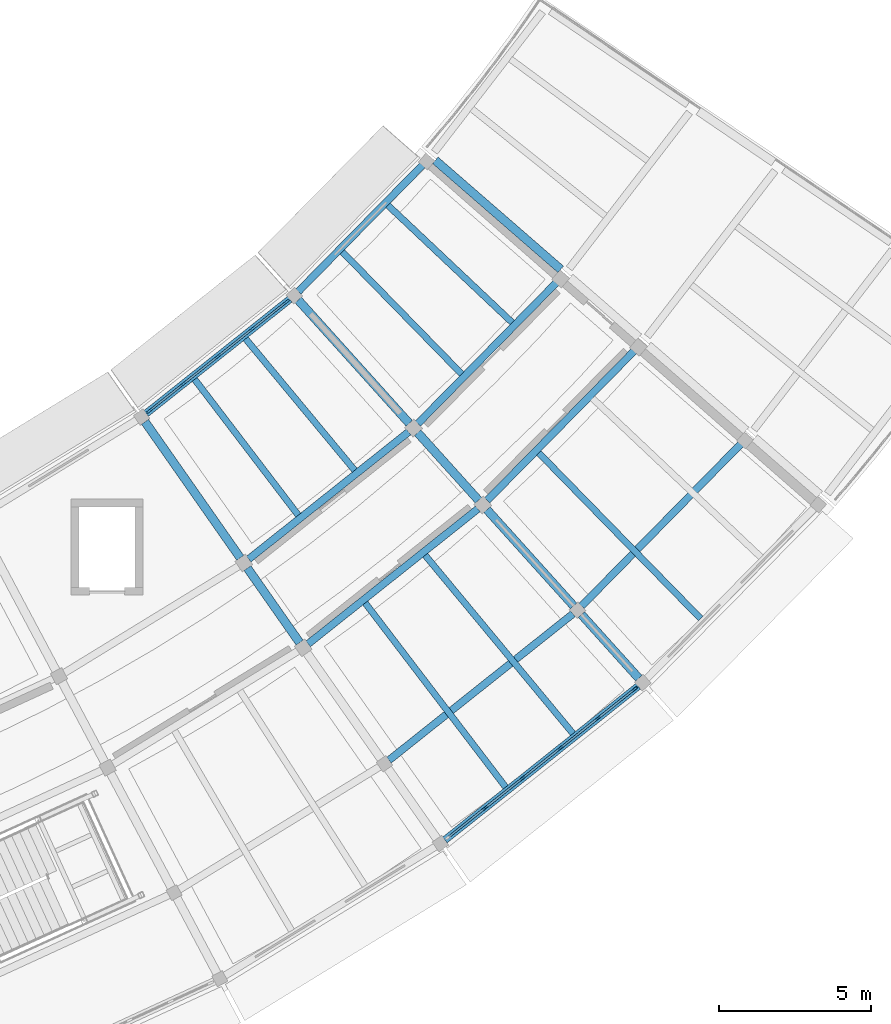
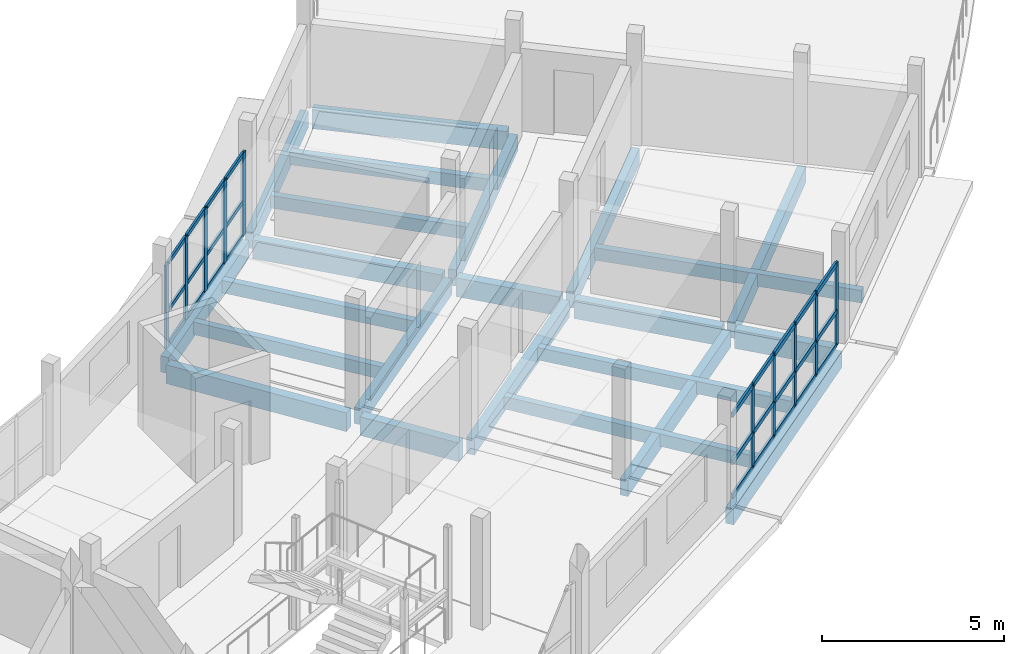
# One storey, part 29 of 66: 37 members, 23 beams, 2 elements without a shape of their own.
"""IFC4 building model written with IfcOpenShell, lengths in metres."""

import ifcopenshell
import ifcopenshell.guid

model = None  # the IFC model being written
_history = None  # IfcOwnerHistory: only IFC2X3 demands one
_inside = {}  # id of a spatial element -> (the spatial element, [elements in it])
_under = {}  # id of a project, library or spatial element -> (it, [spatial elements below it])
_declared = {}  # id of a project -> (the project, [libraries it declares])
_typed = {}  # id of a type object -> (the type object, [elements of that type])
_made_of = {}  # id of a material, layer set ... -> (it, [elements and type objects made of it])


def new_model(schema):
    """Start an empty IFC model of exactly this schema.

    Asked for "IFC4X3", IfcOpenShell would pick the latest addendum, in which some entities
    have other attributes; the version numbers below select the first issue.
    IFC2X3 requires an IfcOwnerHistory on every rooted entity: one is made here for all.
    """
    global model, _history
    if schema == "IFC4X3":
        model = ifcopenshell.file(schema_version=(4, 3, 0, 0))
    else:
        model = ifcopenshell.file(schema=schema)
    _inside.clear()
    _under.clear()
    _declared.clear()
    _typed.clear()
    _made_of.clear()
    _history = None
    if model.schema == "IFC2X3":
        org = make("IfcOrganization", Name="unknown")
        user = make(
            "IfcPersonAndOrganization",
            ThePerson=make("IfcPerson", FamilyName="unknown"),
            TheOrganization=org,
        )
        app = make(
            "IfcApplication",
            ApplicationDeveloper=org,
            Version="unknown",
            ApplicationFullName="unknown",
            ApplicationIdentifier="unknown",
        )
        _history = make(
            "IfcOwnerHistory",
            OwningUser=user,
            OwningApplication=app,
            ChangeAction="ADDED",
            CreationDate=0,
        )
    return model


def make(cls, **values):
    """One entity of the class cls with the attributes given. An attribute that is None is left unset."""
    return model.create_entity(
        cls, **{name: value for name, value in values.items() if value is not None}
    )


def rooted(cls, **values):
    """An entity with a GlobalId (a new one), such as an element, a storey or a relation."""
    return make(cls, GlobalId=ifcopenshell.guid.new(), OwnerHistory=_history, **values)


def si_unit(unit_type, name, prefix=None):
    """IfcSIUnit, for example si_unit("LENGTHUNIT", "METRE", prefix="MILLI")."""
    return make("IfcSIUnit", UnitType=unit_type, Prefix=prefix, Name=name)


def assignment(units):
    """IfcUnitAssignment: the units of a project."""
    return None if units is None else make("IfcUnitAssignment", Units=units)


def point(xyz):
    """IfcCartesianPoint."""
    return None if xyz is None else make("IfcCartesianPoint", Coordinates=xyz)


def direction(xyz):
    """IfcDirection."""
    return None if xyz is None else make("IfcDirection", DirectionRatios=xyz)


def frame(location, z_axis=None, x_axis=None):
    """IfcAxis2Placement3D, a coordinate frame: its origin and axes. An axis left out is left unset."""
    return make(
        "IfcAxis2Placement3D",
        Location=point(location),
        Axis=direction(z_axis),
        RefDirection=direction(x_axis),
    )


def frame_2d(location, x_axis=None):
    """IfcAxis2Placement2D, a coordinate frame in the plane: its origin and x axis."""
    return make(
        "IfcAxis2Placement2D", Location=point(location), RefDirection=direction(x_axis)
    )


def origin():
    """The frame at (0, 0, 0) with its axes left unset."""
    return frame((0.0, 0.0, 0.0))


def origin_2d():
    """The frame at (0, 0) in the plane with its x axis left unset."""
    return frame_2d((0.0, 0.0))


def place(relative_to, where):
    """IfcLocalPlacement: puts the frame where relative to a parent placement (None: the world)."""
    return make(
        "IfcLocalPlacement", PlacementRelTo=relative_to, RelativePlacement=where
    )


def context(
    kind, dimensions, precision=None, world=None, true_north=None, identifier=None
):
    """IfcGeometricRepresentationContext, for example the 3D "Model" context."""
    return make(
        "IfcGeometricRepresentationContext",
        ContextIdentifier=identifier,
        ContextType=kind,
        CoordinateSpaceDimension=dimensions,
        Precision=precision,
        WorldCoordinateSystem=world,
        TrueNorth=true_north,
    )


def subcontext(parent, identifier, kind, view, scale=None):
    """IfcGeometricRepresentationSubContext, for example "Body" below "Model"."""
    return make(
        "IfcGeometricRepresentationSubContext",
        ContextIdentifier=identifier,
        ContextType=kind,
        ParentContext=parent,
        TargetScale=scale,
        TargetView=view,
    )


def project(units=None, contexts=None):
    """IfcProject with its units and contexts."""
    return rooted(
        "IfcProject",
        Name="project",
        RepresentationContexts=contexts,
        UnitsInContext=assignment(units),
    )


def spatial(cls, under=None, at=None, **own):
    """A site, building, storey or space (cls), placed at a placement, below another one or the project."""
    s = rooted(cls, ObjectPlacement=at, **own)
    if under is not None:
        _under.setdefault(under.id(), (under, []))[1].append(s)
    return s


def profile(cls, at=None, kind="AREA", **sizes):
    """A parametric profile (cls). Its sizes go by their IFC names, for example OverallWidth=200.0."""
    return make(cls, ProfileType=kind, Position=at, **sizes)


def rectangle(**sizes):
    """IfcRectangleProfileDef."""
    return profile("IfcRectangleProfileDef", **sizes)


def extrude(swept, where, along, depth):
    """IfcExtrudedAreaSolid: the profile swept, set in the frame where, extruded along a direction by depth."""
    return make(
        "IfcExtrudedAreaSolid",
        SweptArea=swept,
        Position=where,
        ExtrudedDirection=direction(along),
        Depth=depth,
    )


def shape(context_of_items, identifier, shape_type, items):
    """IfcShapeRepresentation: the items that make up one representation, for example the "Body"."""
    return make(
        "IfcShapeRepresentation",
        ContextOfItems=context_of_items,
        RepresentationIdentifier=identifier,
        RepresentationType=shape_type,
        Items=items,
    )


def material(Name=None, Category=None):
    """IfcMaterial."""
    return make("IfcMaterial", Name=Name, Category=Category)


def layer(
    of_material, thickness, ventilated=None, Name=None, Category=None, Priority=None
):
    """IfcMaterialLayer: one layer of a wall or slab, of a material (None: an air gap)."""
    return make(
        "IfcMaterialLayer",
        Material=of_material,
        LayerThickness=thickness,
        IsVentilated=ventilated,
        Name=Name,
        Category=Category,
        Priority=Priority,
    )


def layer_set(layers, Name=None):
    """IfcMaterialLayerSet."""
    return make("IfcMaterialLayerSet", MaterialLayers=layers, LayerSetName=Name)


def material_profile(
    of_material, cross_section, Name=None, Category=None, Priority=None
):
    """IfcMaterialProfile: a cross section and its material."""
    return make(
        "IfcMaterialProfile",
        Name=Name,
        Material=of_material,
        Profile=cross_section,
        Priority=Priority,
        Category=Category,
    )


def profile_set(profiles, Name=None, composite=None):
    """IfcMaterialProfileSet."""
    return make(
        "IfcMaterialProfileSet",
        Name=Name,
        MaterialProfiles=profiles,
        CompositeProfile=composite,
    )


def made_of(thing, what):
    """Note that an element or type object is made of a material, layer set ...; save() writes the relation."""
    if what is not None:
        _made_of.setdefault(what.id(), (what, []))[1].append(thing)
    return thing


def type_object(cls, material=None, **own):
    """A type object (cls), such as IfcWallType, which elements share."""
    return made_of(rooted(cls, **own), material)


def element(
    cls,
    number,
    at=None,
    inside=None,
    cuts=None,
    type_object=None,
    material=None,
    context=None,
    identifier="Body",
    shape_type=None,
    held_by="IfcProductDefinitionShape",
    body=None,
    shapes=None,
    **own,
):
    """One element of the class cls, such as IfcWall. Its Tag is "e" and its number.

    at: its placement. inside: the storey or other place that contains it. cuts: it is an
    opening in that element (IfcRelVoidsElement). A single representation is given by context,
    identifier, shape_type and body (its items); several are given by shapes. held_by: the class
    of the entity that holds the representations. save() writes the other relations.
    """
    e = rooted(cls, Tag="e%d" % number, ObjectPlacement=at, **own)
    if body is not None:
        shapes = [shape(context, identifier, shape_type, body)]
    if shapes is not None:
        e.Representation = make(held_by, Representations=shapes)
    if inside is not None:
        _inside.setdefault(inside.id(), (inside, []))[1].append(e)
    if cuts is not None:
        rooted(
            "IfcRelVoidsElement", RelatingBuildingElement=cuts, RelatedOpeningElement=e
        )
    if type_object is not None:
        _typed.setdefault(type_object.id(), (type_object, []))[1].append(e)
    return made_of(e, material)


def aggregate(whole, parts):
    """IfcRelAggregates: a whole, such as a stair, and the parts it consists of."""
    return rooted("IfcRelAggregates", RelatingObject=whole, RelatedObjects=parts)


def save(model, path):
    """Write the relations noted so far, then the file.

    IfcRelAggregates (storeys below a building ...), IfcRelContainedInSpatialStructure (elements
    in a storey), IfcRelDefinesByType, IfcRelAssociatesMaterial and IfcRelDeclares: one each for
    every whole, place, type object, material and project.
    """
    for whole, parts in _under.values():
        aggregate(whole, parts)
    for where, things in _inside.values():
        rooted(
            "IfcRelContainedInSpatialStructure",
            RelatedElements=things,
            RelatingStructure=where,
        )
    for kind, things in _typed.values():
        rooted("IfcRelDefinesByType", RelatedObjects=things, RelatingType=kind)
    for what, things in _made_of.values():
        rooted("IfcRelAssociatesMaterial", RelatedObjects=things, RelatingMaterial=what)
    for by, libraries in _declared.values():
        rooted("IfcRelDeclares", RelatingContext=by, RelatedDefinitions=libraries)
    model.write(path)


model = new_model("IFC4")

# Units and contexts
model_context = context("Model", 3, precision=1e-05, world=origin(), true_north=direction((0.0, 1.0)))
body_context = subcontext(model_context, "Body", "Model", "MODEL_VIEW")
ifc_project = project(units=[si_unit("LENGTHUNIT", "METRE"), si_unit("AREAUNIT", "SQUARE_METRE"), si_unit("VOLUMEUNIT", "CUBIC_METRE"), si_unit("PLANEANGLEUNIT", "RADIAN"), si_unit("MASSUNIT", "GRAM", prefix="KILO")], contexts=[model_context])

# Site, building, storey
site_placement = place(None, origin())
site = spatial("IfcSite", under=ifc_project, at=site_placement, CompositionType="ELEMENT")
building_placement = place(site_placement, origin())
building = spatial("IfcBuilding", under=site, at=building_placement, Name="Caldaven Crescent School", CompositionType="ELEMENT")
storey_placement = place(building_placement, frame((0.0, 0.0, 8.159912109375)))
storey = spatial("IfcBuildingStorey", under=building, at=storey_placement, Name="L02", CompositionType="ELEMENT", Elevation=8.159912109375)

# Beams
ifc_material_1 = material(Name="Glulam MLE24h (GL28h)", Category="wood")
ifc_material_profile_1 = material_profile(ifc_material_1, rectangle(XDim=0.239990234375, YDim=0.5400390625, at=origin_2d()), Name="MLE 240x540")
ifc_profile_set_1 = profile_set([ifc_material_profile_1], Name="Glulam MLE24h (GL28h)")
beam_type_1 = type_object("IfcBeamType", Name="BM-GL54", PredefinedType="BEAM", material=ifc_profile_set_1)
beam_1_placement = place(storey_placement, frame((121.599853515625, 48.37109375, -0.52001953125), z_axis=(0.782609113445, 0.622513434034, 0.0), x_axis=(-0.622513434034, 0.782609113445, 0.0)))
element("IfcBeam", 1, at=beam_1_placement, inside=storey, type_object=beam_type_1, Name="BMT-V4E-L02-1314", PredefinedType="BEAM", context=body_context, shape_type="SweptSolid", body=[
    extrude(rectangle(XDim=0.239990234375, YDim=0.5400390625, at=origin_2d()), origin(), (0.0, 0.0, 1.0), 6.708251953125),
])
beam_2_placement = place(storey_placement, frame((123.550048828125, 45.5859375, -0.52001953125), z_axis=(0.782621166449, 0.622498280982, 0.0), x_axis=(-0.622498280982, 0.782621166449, 0.0)))
element("IfcBeam", 2, at=beam_2_placement, inside=storey, type_object=beam_type_1, Name="BMT-V4E-L02-1315", PredefinedType="BEAM", context=body_context, shape_type="SweptSolid", body=[
    extrude(rectangle(XDim=0.239990234375, YDim=0.5400390625, at=origin_2d()), origin(), (0.0, 0.0, 1.0), 7.12353515625),
])
beam_3_placement = place(storey_placement, frame((126.20556640625, 41.767578125, -0.52001953125), z_axis=(0.782608756687, 0.622513882541, 0.0), x_axis=(-0.622513882541, 0.782608756687, 0.0)))
element("IfcBeam", 3, at=beam_3_placement, inside=storey, type_object=beam_type_1, Name="BMT-V4E-L02-1316", PredefinedType="BEAM", context=body_context, shape_type="SweptSolid", body=[
    extrude(rectangle(XDim=0.239990234375, YDim=0.5400390625, at=origin_2d()), origin(), (0.0, 0.0, 1.0), 7.720947265625),
])
beam_4_placement = place(storey_placement, frame((127.154052734375, 52.82080078125, -0.52001953125), z_axis=(0.700911097932, 0.713248647244, 0.0), x_axis=(-0.713248647244, 0.700911097932, 0.0)))
element("IfcBeam", 4, at=beam_4_placement, inside=storey, type_object=beam_type_1, Name="BMT-V4E-L02-1323", PredefinedType="BEAM", context=body_context, shape_type="SweptSolid", body=[
    extrude(rectangle(XDim=0.239990234375, YDim=0.5400390625, at=origin_2d()), origin(), (0.0, 0.0, 1.0), 6.708251953125),
])
beam_5_placement = place(storey_placement, frame((129.428955078125, 50.294189453125, -0.52001953125), z_axis=(0.700910785666, 0.713248954109, 0.0), x_axis=(-0.713248954109, 0.700910785666, 0.0)))
element("IfcBeam", 5, at=beam_5_placement, inside=storey, type_object=beam_type_1, Name="BMT-V4E-L02-1324", PredefinedType="BEAM", context=body_context, shape_type="SweptSolid", body=[
    extrude(rectangle(XDim=0.239990234375, YDim=0.5400390625, at=origin_2d()), origin(), (0.0, 0.0, 1.0), 7.12353515625),
])
beam_6_placement = place(storey_placement, frame((132.530029296875, 46.827880859375, -0.52001953125), z_axis=(0.700914055205, 0.713245741113, 0.0), x_axis=(-0.713245741113, 0.700914055205, 0.0)))
element("IfcBeam", 6, at=beam_6_placement, inside=storey, type_object=beam_type_1, Name="BMT-V4E-L02-1325", PredefinedType="BEAM", context=body_context, shape_type="SweptSolid", body=[
    extrude(rectangle(XDim=0.239990234375, YDim=0.5400390625, at=origin_2d()), origin(), (0.0, 0.0, 1.0), 7.72119140625),
])
ifc_material_profile_2 = material_profile(ifc_material_1, rectangle(XDim=0.280029296875, YDim=0.6298828125, at=origin_2d()), Name="MLE 280x630")
ifc_profile_set_2 = profile_set([ifc_material_profile_2], Name="Glulam MLE24h (GL28h)")
beam_type_2 = type_object("IfcBeamType", Name="BM-GL63", PredefinedType="BEAM", material=ifc_profile_set_2)
beam_7_placement = place(storey_placement, frame((118.193115234375, 52.8798828125, -0.56494140625), z_axis=(0.573579482338, -0.819149911457, 0.0), x_axis=(0.819149911457, 0.573579482338, 0.0)))
element("IfcBeam", 7, at=beam_7_placement, inside=storey, type_object=beam_type_2, Name="BMR-V4E-L02-1283", PredefinedType="BEAM", context=body_context, shape_type="SweptSolid", body=[
    extrude(rectangle(XDim=0.280029296875, YDim=0.6298828125, at=origin_2d()), origin(), (0.0, 0.0, 1.0), 5.455078125),
])
beam_8_placement = place(storey_placement, frame((121.55712890625, 48.075439453125, -0.56494140625), z_axis=(0.573550025111, -0.819170537004, 0.0), x_axis=(0.819170537004, 0.573550025111, 0.0)))
element("IfcBeam", 8, at=beam_8_placement, inside=storey, type_object=beam_type_2, Name="BMR-V4E-L02-1284", PredefinedType="BEAM", context=body_context, shape_type="SweptSolid", body=[
    extrude(rectangle(XDim=0.280029296875, YDim=0.6298828125, at=origin_2d()), origin(), (0.0, 0.0, 1.0), 2.989990234375),
])
beam_9_placement = place(storey_placement, frame((123.22314453125, 56.880859375, -0.56494140625), z_axis=(0.669100719019, -0.743171735071, 0.0), x_axis=(0.743171735071, 0.669100719019, 0.0)))
element("IfcBeam", 9, at=beam_9_placement, inside=storey, type_object=beam_type_2, Name="BMR-V4E-L02-1287", PredefinedType="BEAM", context=body_context, shape_type="SweptSolid", body=[
    extrude(rectangle(XDim=0.280029296875, YDim=0.6298828125, at=origin_2d()), origin(), (0.0, 0.0, 1.0), 5.454833984375),
])
beam_10_placement = place(storey_placement, frame((127.1474609375, 52.522216796875, -0.56494140625), z_axis=(0.669149671668, -0.743127658554, 0.0), x_axis=(0.743127658554, 0.669149671668, 0.0)))
element("IfcBeam", 10, at=beam_10_placement, inside=storey, type_object=beam_type_2, Name="BMR-V4E-L02-1288", PredefinedType="BEAM", context=body_context, shape_type="SweptSolid", body=[
    extrude(rectangle(XDim=0.280029296875, YDim=0.6298828125, at=origin_2d()), origin(), (0.0, 0.0, 1.0), 2.989990234375),
])
beam_11_placement = place(storey_placement, frame((129.422607421875, 49.99560546875, -0.56494140625), z_axis=(0.669129554921, -0.743145772195, 0.0), x_axis=(0.743145772195, 0.669129554921, 0.0)))
element("IfcBeam", 11, at=beam_11_placement, inside=storey, type_object=beam_type_2, Name="BMR-V4E-L02-1289", PredefinedType="BEAM", context=body_context, shape_type="SweptSolid", body=[
    extrude(rectangle(XDim=0.280029296875, YDim=0.6298828125, at=origin_2d()), origin(), (0.0, 0.0, 1.0), 4.255126953125),
])
beam_12_placement = place(storey_placement, frame((132.52392578125, 46.551025390625, -0.56494140625), z_axis=(0.669170391326, -0.743109001003, 0.0), x_axis=(0.743109001003, 0.669170391326, 0.0)))
element("IfcBeam", 12, at=beam_12_placement, inside=storey, type_object=beam_type_2, Name="BMR-V4E-L02-1290", PredefinedType="BEAM", context=body_context, shape_type="SweptSolid", body=[
    extrude(rectangle(XDim=0.280029296875, YDim=0.6298828125, at=origin_2d()), origin(), (0.0, 0.0, 1.0), 2.81982421875),
])
beam_13_placement = place(storey_placement, frame((127.72802734375, 61.465087890625, -0.56494140625), z_axis=(0.754704755132, -0.656064579581, 0.0), x_axis=(0.656064579581, 0.754704755132, 0.0)))
element("IfcBeam", 13, at=beam_13_placement, inside=storey, type_object=beam_type_2, Name="BMR-V4E-L02-1291", PredefinedType="BEAM", context=body_context, shape_type="SweptSolid", body=[
    extrude(rectangle(XDim=0.280029296875, YDim=0.6298828125, at=origin_2d()), origin(), (0.0, 0.0, 1.0), 5.455078125),
])

# Curtain wall, members
ifc_material_2 = material(Name="Anodised aluminium AA 6063-T6 and low-E double glazing", Category="aluminium")
ifc_layer_1 = layer(ifc_material_2, 0.169921875)
ifc_layer_set_1 = layer_set([ifc_layer_1], Name="Anodised aluminium AA 6063-T6 and low-E double glazing")
curtain_wall_type_1 = type_object("IfcCurtainWallType", Name="CW-SYS1", PredefinedType="NOTDEFINED", material=ifc_layer_set_1)
curtain_wall_1_placement = place(storey_placement, origin())
curtain_wall_1 = element("IfcCurtainWall", 14, at=curtain_wall_1_placement, inside=storey, type_object=curtain_wall_type_1, Name="CW-L02-152", PredefinedType="NOTDEFINED")
ifc_material_3 = material(Name="Anodised aluminium AA 6063-T6", Category="aluminium")
ifc_material_profile_3 = material_profile(ifc_material_3, rectangle(XDim=0.06494140625, YDim=0.179931640625, at=origin_2d()), Name="CWM 65x180")
ifc_profile_set_3 = profile_set([ifc_material_profile_3], Name="Anodised aluminium AA 6063-T6")
member_type_1 = type_object("IfcMemberType", Name="CWM-T2", PredefinedType="MULLION", material=ifc_profile_set_3)
member_1_placement = place(storey_placement, frame((129.3623046875, 40.197265625, 0.0), z_axis=(0.0, 0.0, 1.0), x_axis=(-0.622514235279, 0.782608476107, 0.0)))
member_1 = element("IfcMember", 15, at=member_1_placement, type_object=member_type_1, Name="CW1 mullion 2", PredefinedType="MULLION", context=body_context, shape_type="SweptSolid", body=[
    extrude(rectangle(XDim=0.06494140625, YDim=0.179931640625, at=origin_2d()), origin(), (0.0, 0.0, 1.0), 2.780029296875),
])
member_2_placement = place(storey_placement, frame((130.597412109375, 41.179931640625, 0.0), z_axis=(0.0, 0.0, 1.0), x_axis=(-0.622514235279, 0.782608476107, 0.0)))
member_2 = element("IfcMember", 16, at=member_2_placement, type_object=member_type_1, Name="CW1 mullion 3", PredefinedType="MULLION", context=body_context, shape_type="SweptSolid", body=[
    extrude(rectangle(XDim=0.06494140625, YDim=0.179931640625, at=origin_2d()), origin(), (0.0, 0.0, 1.0), 2.780029296875),
])
member_3_placement = place(storey_placement, frame((131.832763671875, 42.162353515625, 0.0), z_axis=(0.0, 0.0, 1.0), x_axis=(-0.622514235279, 0.782608476107, 0.0)))
member_3 = element("IfcMember", 17, at=member_3_placement, type_object=member_type_1, Name="CW1 mullion 4", PredefinedType="MULLION", context=body_context, shape_type="SweptSolid", body=[
    extrude(rectangle(XDim=0.06494140625, YDim=0.179931640625, at=origin_2d()), origin(), (0.0, 0.0, 1.0), 2.780029296875),
])
member_4_placement = place(storey_placement, frame((133.068115234375, 43.14501953125, 0.0), z_axis=(0.0, 0.0, 1.0), x_axis=(-0.622514235279, 0.782608476107, 0.0)))
member_4 = element("IfcMember", 18, at=member_4_placement, type_object=member_type_1, Name="CW1 mullion 5", PredefinedType="MULLION", context=body_context, shape_type="SweptSolid", body=[
    extrude(rectangle(XDim=0.06494140625, YDim=0.179931640625, at=origin_2d()), origin(), (0.0, 0.0, 1.0), 2.780029296875),
])
member_5_placement = place(storey_placement, frame((134.27783203125, 44.107177734375, 0.0), z_axis=(0.0, 0.0, 1.0), x_axis=(-0.622514235279, 0.782608476107, 0.0)))
member_5 = element("IfcMember", 19, at=member_5_placement, type_object=member_type_1, Name="CW1 mullion 6", PredefinedType="MULLION", context=body_context, shape_type="SweptSolid", body=[
    extrude(rectangle(XDim=0.06494140625, YDim=0.179931640625, at=origin_2d()), origin(), (0.0, 0.0, 1.0), 2.780029296875),
])

ifc_layer_2 = layer(ifc_material_2, 0.2099609375)
ifc_layer_set_2 = layer_set([ifc_layer_2], Name="Anodised aluminium AA 6063-T6 and low-E double glazing")
curtain_wall_type_2 = type_object("IfcCurtainWallType", Name="CW-SYS3", PredefinedType="NOTDEFINED", material=ifc_layer_set_2)
curtain_wall_2_placement = place(storey_placement, origin())
curtain_wall_2 = element("IfcCurtainWall", 20, at=curtain_wall_2_placement, inside=storey, type_object=curtain_wall_type_2, Name="CW-L02-151", PredefinedType="NOTDEFINED")
ifc_material_profile_4 = material_profile(ifc_material_3, rectangle(XDim=0.070068359375, YDim=0.2099609375, at=origin_2d()), Name="CWM 70x210")
ifc_profile_set_4 = profile_set([ifc_material_profile_4], Name="Anodised aluminium AA 6063-T6")
member_type_2 = type_object("IfcMemberType", Name="CWM-T3", PredefinedType="MULLION", material=ifc_profile_set_4)
member_6_placement = place(storey_placement, frame((118.34619140625, 53.243896484375, 0.0), z_axis=(0.0, 0.0, 1.0), x_axis=(-0.622514764063, 0.782608055493, 0.0)))
member_6 = element("IfcMember", 21, at=member_6_placement, type_object=member_type_2, Name="CW3 mullion 1", PredefinedType="MULLION", context=body_context, shape_type="SweptSolid", body=[
    extrude(rectangle(XDim=0.070068359375, YDim=0.2099609375, at=origin_2d()), origin(), (0.0, 0.0, 1.0), 2.780029296875),
])
member_7_placement = place(storey_placement, frame((119.454345703125, 54.12548828125, 0.0), z_axis=(0.0, 0.0, 1.0), x_axis=(-0.622514764063, 0.782608055493, 0.0)))
member_7 = element("IfcMember", 22, at=member_7_placement, type_object=member_type_2, Name="CW3 mullion 2", PredefinedType="MULLION", context=body_context, shape_type="SweptSolid", body=[
    extrude(rectangle(XDim=0.070068359375, YDim=0.2099609375, at=origin_2d()), origin(), (0.0, 0.0, 1.0), 2.780029296875),
])
member_8_placement = place(storey_placement, frame((120.590087890625, 55.02880859375, 0.0), z_axis=(0.0, 0.0, 1.0), x_axis=(-0.622514764063, 0.782608055493, 0.0)))
member_8 = element("IfcMember", 23, at=member_8_placement, type_object=member_type_2, Name="CW3 mullion 3", PredefinedType="MULLION", context=body_context, shape_type="SweptSolid", body=[
    extrude(rectangle(XDim=0.070068359375, YDim=0.2099609375, at=origin_2d()), origin(), (0.0, 0.0, 1.0), 2.780029296875),
])
member_9_placement = place(storey_placement, frame((121.7255859375, 55.93212890625, 0.0), z_axis=(0.0, 0.0, 1.0), x_axis=(-0.622514764063, 0.782608055493, 0.0)))
member_9 = element("IfcMember", 24, at=member_9_placement, type_object=member_type_2, Name="CW3 mullion 4", PredefinedType="MULLION", context=body_context, shape_type="SweptSolid", body=[
    extrude(rectangle(XDim=0.070068359375, YDim=0.2099609375, at=origin_2d()), origin(), (0.0, 0.0, 1.0), 2.780029296875),
])
member_10_placement = place(storey_placement, frame((122.833740234375, 56.8134765625, 0.0), z_axis=(0.0, 0.0, 1.0), x_axis=(-0.622514764063, 0.782608055493, 0.0)))
member_10 = element("IfcMember", 25, at=member_10_placement, type_object=member_type_2, Name="CW3 mullion 5", PredefinedType="MULLION", context=body_context, shape_type="SweptSolid", body=[
    extrude(rectangle(XDim=0.070068359375, YDim=0.2099609375, at=origin_2d()), origin(), (0.0, 0.0, 1.0), 2.780029296875),
])
ifc_material_profile_5 = material_profile(ifc_material_3, rectangle(XDim=0.06494140625, YDim=0.139892578125, at=origin_2d()), Name="CWT 65x140")
ifc_profile_set_5 = profile_set([ifc_material_profile_5], Name="Anodised aluminium AA 6063-T6")
member_type_3 = type_object("IfcMemberType", Name="CWT-T2", PredefinedType="USERDEFINED", material=ifc_profile_set_5)
member_11_placement = place(storey_placement, frame((118.37353515625, 53.265869140625, 0.032470703125), z_axis=(0.78263519359, 0.622480645284, 0.0), x_axis=(-0.622480645284, 0.78263519359, 0.0)))
member_11 = element("IfcMember", 26, at=member_11_placement, type_object=member_type_3, Name="CW3 transom 1.1", ObjectType="TRANSOM", PredefinedType="USERDEFINED", context=body_context, shape_type="SweptSolid", body=[
    extrude(rectangle(XDim=0.06494140625, YDim=0.139892578125, at=origin_2d()), origin(), (0.0, 0.0, 1.0), 1.345947265625),
])
member_12_placement = place(storey_placement, frame((118.37353515625, 53.265869140625, 1.16796875), z_axis=(0.78263519359, 0.622480645284, 0.0), x_axis=(-0.622480645284, 0.78263519359, 0.0)))
member_12 = element("IfcMember", 27, at=member_12_placement, type_object=member_type_3, Name="CW3 transom 1.2", ObjectType="TRANSOM", PredefinedType="USERDEFINED", context=body_context, shape_type="SweptSolid", body=[
    extrude(rectangle(XDim=0.06494140625, YDim=0.139892578125, at=origin_2d()), origin(), (0.0, 0.0, 1.0), 1.345947265625),
])
member_13_placement = place(storey_placement, frame((118.37353515625, 53.265869140625, 2.74755859375), z_axis=(0.78263519359, 0.622480645284, 0.0), x_axis=(-0.622480645284, 0.78263519359, 0.0)))
member_13 = element("IfcMember", 28, at=member_13_placement, type_object=member_type_3, Name="CW3 transom 1.3", ObjectType="TRANSOM", PredefinedType="USERDEFINED", context=body_context, shape_type="SweptSolid", body=[
    extrude(rectangle(XDim=0.06494140625, YDim=0.139892578125, at=origin_2d()), origin(), (0.0, 0.0, 1.0), 1.345947265625),
])
member_14_placement = place(storey_placement, frame((119.48193359375, 54.147216796875, 0.032470703125), z_axis=(0.782487504126, 0.622666287739, 0.0), x_axis=(-0.622666287739, 0.782487504126, 0.0)))
member_14 = element("IfcMember", 29, at=member_14_placement, type_object=member_type_3, Name="CW3 transom 2.1", ObjectType="TRANSOM", PredefinedType="USERDEFINED", context=body_context, shape_type="SweptSolid", body=[
    extrude(rectangle(XDim=0.06494140625, YDim=0.139892578125, at=origin_2d()), origin(), (0.0, 0.0, 1.0), 1.380859375),
])
member_15_placement = place(storey_placement, frame((119.48193359375, 54.147216796875, 1.16796875), z_axis=(0.782487504126, 0.622666287739, 0.0), x_axis=(-0.622666287739, 0.782487504126, 0.0)))
member_15 = element("IfcMember", 30, at=member_15_placement, type_object=member_type_3, Name="CW3 transom 2.2", ObjectType="TRANSOM", PredefinedType="USERDEFINED", context=body_context, shape_type="SweptSolid", body=[
    extrude(rectangle(XDim=0.06494140625, YDim=0.139892578125, at=origin_2d()), origin(), (0.0, 0.0, 1.0), 1.380859375),
])
member_16_placement = place(storey_placement, frame((119.48193359375, 54.147216796875, 2.74755859375), z_axis=(0.782487504126, 0.622666287739, 0.0), x_axis=(-0.622666287739, 0.782487504126, 0.0)))
member_16 = element("IfcMember", 31, at=member_16_placement, type_object=member_type_3, Name="CW3 transom 2.3", ObjectType="TRANSOM", PredefinedType="USERDEFINED", context=body_context, shape_type="SweptSolid", body=[
    extrude(rectangle(XDim=0.06494140625, YDim=0.139892578125, at=origin_2d()), origin(), (0.0, 0.0, 1.0), 1.380859375),
])
member_17_placement = place(storey_placement, frame((120.617431640625, 55.050537109375, 0.032470703125), z_axis=(0.782642159543, 0.622471887, 0.0), x_axis=(-0.622471887, 0.782642159543, 0.0)))
member_17 = element("IfcMember", 32, at=member_17_placement, type_object=member_type_3, Name="CW3 transom 3.1", ObjectType="TRANSOM", PredefinedType="USERDEFINED", context=body_context, shape_type="SweptSolid", body=[
    extrude(rectangle(XDim=0.06494140625, YDim=0.139892578125, at=origin_2d()), origin(), (0.0, 0.0, 1.0), 1.380859375),
])
member_18_placement = place(storey_placement, frame((120.617431640625, 55.050537109375, 1.16796875), z_axis=(0.782642159543, 0.622471887, 0.0), x_axis=(-0.622471887, 0.782642159543, 0.0)))
member_18 = element("IfcMember", 33, at=member_18_placement, type_object=member_type_3, Name="CW3 transom 3.2", ObjectType="TRANSOM", PredefinedType="USERDEFINED", context=body_context, shape_type="SweptSolid", body=[
    extrude(rectangle(XDim=0.06494140625, YDim=0.139892578125, at=origin_2d()), origin(), (0.0, 0.0, 1.0), 1.380859375),
])
member_19_placement = place(storey_placement, frame((120.617431640625, 55.050537109375, 2.74755859375), z_axis=(0.782642159543, 0.622471887, 0.0), x_axis=(-0.622471887, 0.782642159543, 0.0)))
member_19 = element("IfcMember", 34, at=member_19_placement, type_object=member_type_3, Name="CW3 transom 3.3", ObjectType="TRANSOM", PredefinedType="USERDEFINED", context=body_context, shape_type="SweptSolid", body=[
    extrude(rectangle(XDim=0.06494140625, YDim=0.139892578125, at=origin_2d()), origin(), (0.0, 0.0, 1.0), 1.380859375),
])
member_20_placement = place(storey_placement, frame((121.7529296875, 55.953857421875, 0.032470703125), z_axis=(0.78263519359, 0.622480645284, 0.0), x_axis=(-0.622480645284, 0.78263519359, 0.0)))
member_20 = element("IfcMember", 35, at=member_20_placement, type_object=member_type_3, Name="CW3 transom 4.1", ObjectType="TRANSOM", PredefinedType="USERDEFINED", context=body_context, shape_type="SweptSolid", body=[
    extrude(rectangle(XDim=0.06494140625, YDim=0.139892578125, at=origin_2d()), origin(), (0.0, 0.0, 1.0), 1.345947265625),
])
member_21_placement = place(storey_placement, frame((121.7529296875, 55.953857421875, 1.16796875), z_axis=(0.78263519359, 0.622480645284, 0.0), x_axis=(-0.622480645284, 0.78263519359, 0.0)))
member_21 = element("IfcMember", 36, at=member_21_placement, type_object=member_type_3, Name="CW3 transom 4.2", ObjectType="TRANSOM", PredefinedType="USERDEFINED", context=body_context, shape_type="SweptSolid", body=[
    extrude(rectangle(XDim=0.06494140625, YDim=0.139892578125, at=origin_2d()), origin(), (0.0, 0.0, 1.0), 1.345947265625),
])
member_22_placement = place(storey_placement, frame((121.7529296875, 55.953857421875, 2.74755859375), z_axis=(0.78263519359, 0.622480645284, 0.0), x_axis=(-0.622480645284, 0.78263519359, 0.0)))
member_22 = element("IfcMember", 37, at=member_22_placement, type_object=member_type_3, Name="CW3 transom 4.3", ObjectType="TRANSOM", PredefinedType="USERDEFINED", context=body_context, shape_type="SweptSolid", body=[
    extrude(rectangle(XDim=0.06494140625, YDim=0.139892578125, at=origin_2d()), origin(), (0.0, 0.0, 1.0), 1.345947265625),
])
aggregate(curtain_wall_2, [member_6, member_7, member_8, member_9, member_10, member_11, member_12, member_13, member_14, member_15, member_16, member_17, member_18, member_19, member_20, member_21, member_22])

# Member
ifc_material_profile_6 = material_profile(ifc_material_3, rectangle(XDim=0.070068359375, YDim=0.159912109375, at=origin_2d()), Name="CWT 70x160")
ifc_profile_set_6 = profile_set([ifc_material_profile_6], Name="Anodised aluminium AA 6063-T6")
member_type_4 = type_object("IfcMemberType", Name="CWT-T3", PredefinedType="USERDEFINED", material=ifc_profile_set_6)
member_23_placement = place(storey_placement, frame((128.177978515625, 39.255126953125, 0.03515625), z_axis=(0.782602879605, 0.62252127099, 0.0), x_axis=(-0.62252127099, 0.782602879605, 0.0)))
member_23 = element("IfcMember", 38, at=member_23_placement, type_object=member_type_4, Name="CW1 transom 1.1", ObjectType="TRANSOM", PredefinedType="USERDEFINED", context=body_context, shape_type="SweptSolid", body=[
    extrude(rectangle(XDim=0.070068359375, YDim=0.159912109375, at=origin_2d()), origin(), (0.0, 0.0, 1.0), 1.48095703125),
])

member_24_placement = place(storey_placement, frame((128.177978515625, 39.255126953125, 1.16796875), z_axis=(0.782602879605, 0.62252127099, 0.0), x_axis=(-0.62252127099, 0.782602879605, 0.0)))
member_24 = element("IfcMember", 39, at=member_24_placement, type_object=member_type_4, Name="CW1 transom 1.2", ObjectType="TRANSOM", PredefinedType="USERDEFINED", context=body_context, shape_type="SweptSolid", body=[
    extrude(rectangle(XDim=0.070068359375, YDim=0.159912109375, at=origin_2d()), origin(), (0.0, 0.0, 1.0), 1.48095703125),
])

member_25_placement = place(storey_placement, frame((128.177978515625, 39.255126953125, 2.7451171875), z_axis=(0.782602879605, 0.62252127099, 0.0), x_axis=(-0.62252127099, 0.782602879605, 0.0)))
member_25 = element("IfcMember", 40, at=member_25_placement, type_object=member_type_4, Name="CW1 transom 1.3", ObjectType="TRANSOM", PredefinedType="USERDEFINED", context=body_context, shape_type="SweptSolid", body=[
    extrude(rectangle(XDim=0.070068359375, YDim=0.159912109375, at=origin_2d()), origin(), (0.0, 0.0, 1.0), 1.48095703125),
])

member_26_placement = place(storey_placement, frame((129.3876953125, 40.217529296875, 0.03515625), z_axis=(0.782581405056, 0.622548266772, 0.0), x_axis=(-0.622548266772, 0.782581405056, 0.0)))
member_26 = element("IfcMember", 41, at=member_26_placement, type_object=member_type_4, Name="CW1 transom 2.1", ObjectType="TRANSOM", PredefinedType="USERDEFINED", context=body_context, shape_type="SweptSolid", body=[
    extrude(rectangle(XDim=0.070068359375, YDim=0.159912109375, at=origin_2d()), origin(), (0.0, 0.0, 1.0), 1.513427734375),
])

member_27_placement = place(storey_placement, frame((129.3876953125, 40.217529296875, 1.16796875), z_axis=(0.782581405056, 0.622548266772, 0.0), x_axis=(-0.622548266772, 0.782581405056, 0.0)))
member_27 = element("IfcMember", 42, at=member_27_placement, type_object=member_type_4, Name="CW1 transom 2.2", ObjectType="TRANSOM", PredefinedType="USERDEFINED", context=body_context, shape_type="SweptSolid", body=[
    extrude(rectangle(XDim=0.070068359375, YDim=0.159912109375, at=origin_2d()), origin(), (0.0, 0.0, 1.0), 1.513427734375),
])

member_28_placement = place(storey_placement, frame((129.3876953125, 40.217529296875, 2.7451171875), z_axis=(0.782581405056, 0.622548266772, 0.0), x_axis=(-0.622548266772, 0.782581405056, 0.0)))
member_28 = element("IfcMember", 43, at=member_28_placement, type_object=member_type_4, Name="CW1 transom 2.3", ObjectType="TRANSOM", PredefinedType="USERDEFINED", context=body_context, shape_type="SweptSolid", body=[
    extrude(rectangle(XDim=0.070068359375, YDim=0.159912109375, at=origin_2d()), origin(), (0.0, 0.0, 1.0), 1.513427734375),
])

member_29_placement = place(storey_placement, frame((130.623046875, 41.2001953125, 0.03515625), z_axis=(0.782660002777, 0.622449451806, 0.0), x_axis=(-0.622449451806, 0.782660002777, 0.0)))
member_29 = element("IfcMember", 44, at=member_29_placement, type_object=member_type_4, Name="CW1 transom 3.1", ObjectType="TRANSOM", PredefinedType="USERDEFINED", context=body_context, shape_type="SweptSolid", body=[
    extrude(rectangle(XDim=0.070068359375, YDim=0.159912109375, at=origin_2d()), origin(), (0.0, 0.0, 1.0), 1.51318359375),
])

member_30_placement = place(storey_placement, frame((130.623046875, 41.2001953125, 1.16796875), z_axis=(0.782660002777, 0.622449451806, 0.0), x_axis=(-0.622449451806, 0.782660002777, 0.0)))
member_30 = element("IfcMember", 45, at=member_30_placement, type_object=member_type_4, Name="CW1 transom 3.2", ObjectType="TRANSOM", PredefinedType="USERDEFINED", context=body_context, shape_type="SweptSolid", body=[
    extrude(rectangle(XDim=0.070068359375, YDim=0.159912109375, at=origin_2d()), origin(), (0.0, 0.0, 1.0), 1.51318359375),
])

member_31_placement = place(storey_placement, frame((130.623046875, 41.2001953125, 2.7451171875), z_axis=(0.782660002777, 0.622449451806, 0.0), x_axis=(-0.622449451806, 0.782660002777, 0.0)))
member_31 = element("IfcMember", 46, at=member_31_placement, type_object=member_type_4, Name="CW1 transom 3.3", ObjectType="TRANSOM", PredefinedType="USERDEFINED", context=body_context, shape_type="SweptSolid", body=[
    extrude(rectangle(XDim=0.070068359375, YDim=0.159912109375, at=origin_2d()), origin(), (0.0, 0.0, 1.0), 1.51318359375),
])

member_32_placement = place(storey_placement, frame((131.858154296875, 42.1826171875, 0.03515625), z_axis=(0.782581405056, 0.622548266772, 0.0), x_axis=(-0.622548266772, 0.782581405056, 0.0)))
member_32 = element("IfcMember", 47, at=member_32_placement, type_object=member_type_4, Name="CW1 transom 4.1", ObjectType="TRANSOM", PredefinedType="USERDEFINED", context=body_context, shape_type="SweptSolid", body=[
    extrude(rectangle(XDim=0.070068359375, YDim=0.159912109375, at=origin_2d()), origin(), (0.0, 0.0, 1.0), 1.513427734375),
])

member_33_placement = place(storey_placement, frame((131.858154296875, 42.1826171875, 1.16796875), z_axis=(0.782581405056, 0.622548266772, 0.0), x_axis=(-0.622548266772, 0.782581405056, 0.0)))
member_33 = element("IfcMember", 48, at=member_33_placement, type_object=member_type_4, Name="CW1 transom 4.2", ObjectType="TRANSOM", PredefinedType="USERDEFINED", context=body_context, shape_type="SweptSolid", body=[
    extrude(rectangle(XDim=0.070068359375, YDim=0.159912109375, at=origin_2d()), origin(), (0.0, 0.0, 1.0), 1.513427734375),
])

member_34_placement = place(storey_placement, frame((131.858154296875, 42.1826171875, 2.7451171875), z_axis=(0.782581405056, 0.622548266772, 0.0), x_axis=(-0.622548266772, 0.782581405056, 0.0)))
member_34 = element("IfcMember", 49, at=member_34_placement, type_object=member_type_4, Name="CW1 transom 4.3", ObjectType="TRANSOM", PredefinedType="USERDEFINED", context=body_context, shape_type="SweptSolid", body=[
    extrude(rectangle(XDim=0.070068359375, YDim=0.159912109375, at=origin_2d()), origin(), (0.0, 0.0, 1.0), 1.513427734375),
])

member_35_placement = place(storey_placement, frame((133.093505859375, 43.165283203125, 0.03515625), z_axis=(0.782602879605, 0.62252127099, 0.0), x_axis=(-0.62252127099, 0.782602879605, 0.0)))
member_35 = element("IfcMember", 50, at=member_35_placement, type_object=member_type_4, Name="CW1 transom 5.1", ObjectType="TRANSOM", PredefinedType="USERDEFINED", context=body_context, shape_type="SweptSolid", body=[
    extrude(rectangle(XDim=0.070068359375, YDim=0.159912109375, at=origin_2d()), origin(), (0.0, 0.0, 1.0), 1.48095703125),
])

member_36_placement = place(storey_placement, frame((133.093505859375, 43.165283203125, 1.16796875), z_axis=(0.782602879605, 0.62252127099, 0.0), x_axis=(-0.62252127099, 0.782602879605, 0.0)))
member_36 = element("IfcMember", 51, at=member_36_placement, type_object=member_type_4, Name="CW1 transom 5.2", ObjectType="TRANSOM", PredefinedType="USERDEFINED", context=body_context, shape_type="SweptSolid", body=[
    extrude(rectangle(XDim=0.070068359375, YDim=0.159912109375, at=origin_2d()), origin(), (0.0, 0.0, 1.0), 1.48095703125),
])

member_37_placement = place(storey_placement, frame((133.093505859375, 43.165283203125, 2.7451171875), z_axis=(0.782602879605, 0.62252127099, 0.0), x_axis=(-0.62252127099, 0.782602879605, 0.0)))
member_37 = element("IfcMember", 52, at=member_37_placement, type_object=member_type_4, Name="CW1 transom 5.3", ObjectType="TRANSOM", PredefinedType="USERDEFINED", context=body_context, shape_type="SweptSolid", body=[
    extrude(rectangle(XDim=0.070068359375, YDim=0.159912109375, at=origin_2d()), origin(), (0.0, 0.0, 1.0), 1.48095703125),
])

aggregate(curtain_wall_1, [member_1, member_2, member_3, member_4, member_5, member_23, member_24, member_25, member_26, member_27, member_28, member_29, member_30, member_31, member_32, member_33, member_34, member_35, member_36, member_37])

# Beams
ifc_material_profile_7 = material_profile(ifc_material_1, rectangle(XDim=0.2099609375, YDim=0.419921875, at=origin_2d()), Name="MLE 210x420")
ifc_profile_set_7 = profile_set([ifc_material_profile_7], Name="Glulam MLE24h (GL28h)")
beam_type_3 = type_object("IfcBeamType", Name="JS-GL42", PredefinedType="JOIST", material=ifc_profile_set_7)
beam_14_placement = place(storey_placement, frame((119.824462890625, 54.27294921875, -0.4599609375), z_axis=(0.606441715074, -0.795127943301, 0.0), x_axis=(0.795127943301, 0.606441715074, 0.0)))
element("IfcBeam", 53, at=beam_14_placement, inside=storey, type_object=beam_type_3, Name="JSR-V4E-L02-1318", PredefinedType="JOIST", context=body_context, shape_type="SweptSolid", body=[
    extrude(rectangle(XDim=0.2099609375, YDim=0.419921875, at=origin_2d()), origin(), (0.0, 0.0, 1.0), 5.6103515625),
])
beam_15_placement = place(storey_placement, frame((125.424560546875, 46.93017578125, -0.4599609375), z_axis=(0.606445392969, -0.795125138168, 0.0), x_axis=(0.795125138168, 0.606445392969, 0.0)))
element("IfcBeam", 54, at=beam_15_placement, inside=storey, type_object=beam_type_3, Name="JSR-V4E-L02-1319", PredefinedType="JOIST", context=body_context, shape_type="SweptSolid", body=[
    extrude(rectangle(XDim=0.2099609375, YDim=0.419921875, at=origin_2d()), origin(), (0.0, 0.0, 1.0), 7.607177734375),
])
beam_16_placement = place(storey_placement, frame((121.498779296875, 55.604736328125, -0.4599609375), z_axis=(0.638337756262, -0.769756395836, 0.0), x_axis=(0.769756395836, 0.638337756262, 0.0)))
element("IfcBeam", 55, at=beam_16_placement, inside=storey, type_object=beam_type_3, Name="JSR-V4E-L02-1320", PredefinedType="JOIST", context=body_context, shape_type="SweptSolid", body=[
    extrude(rectangle(XDim=0.2099609375, YDim=0.419921875, at=origin_2d()), origin(), (0.0, 0.0, 1.0), 5.6103515625),
])
beam_17_placement = place(storey_placement, frame((127.3935546875, 48.496337890625, -0.4599609375), z_axis=(0.638316852849, -0.769773729981, 0.0), x_axis=(0.769773729981, 0.638316852849, 0.0)))
element("IfcBeam", 56, at=beam_17_placement, inside=storey, type_object=beam_type_3, Name="JSR-V4E-L02-1321", PredefinedType="JOIST", context=body_context, shape_type="SweptSolid", body=[
    extrude(rectangle(XDim=0.2099609375, YDim=0.419921875, at=origin_2d()), origin(), (0.0, 0.0, 1.0), 7.607177734375),
])
beam_18_placement = place(storey_placement, frame((124.67236328125, 58.46240234375, -0.4599609375), z_axis=(0.698812543593, -0.715304850338, 0.0), x_axis=(0.715304850338, 0.698812543593, 0.0)))
element("IfcBeam", 57, at=beam_18_placement, inside=storey, type_object=beam_type_3, Name="JSR-V4E-L02-1327", PredefinedType="JOIST", context=body_context, shape_type="SweptSolid", body=[
    extrude(rectangle(XDim=0.2099609375, YDim=0.419921875, at=origin_2d()), origin(), (0.0, 0.0, 1.0), 5.6103515625),
])
beam_19_placement = place(storey_placement, frame((131.125732421875, 51.856689453125, -0.4599609375), z_axis=(0.698826608349, -0.715291109593, 0.0), x_axis=(0.715291109593, 0.698826608349, 0.0)))
element("IfcBeam", 58, at=beam_19_placement, inside=storey, type_object=beam_type_3, Name="JSR-V4E-L02-1328", PredefinedType="JOIST", context=body_context, shape_type="SweptSolid", body=[
    extrude(rectangle(XDim=0.2099609375, YDim=0.419921875, at=origin_2d()), origin(), (0.0, 0.0, 1.0), 7.60693359375),
])
beam_20_placement = place(storey_placement, frame((126.171875, 59.98828125, -0.4599609375), z_axis=(0.727411275008, -0.686201746566, 0.0), x_axis=(0.686201746566, 0.727411275008, 0.0)))
element("IfcBeam", 59, at=beam_20_placement, inside=storey, type_object=beam_type_3, Name="JSR-V4E-L02-1329", PredefinedType="JOIST", context=body_context, shape_type="SweptSolid", body=[
    extrude(rectangle(XDim=0.2099609375, YDim=0.419921875, at=origin_2d()), origin(), (0.0, 0.0, 1.0), 5.6103515625),
])
ifc_material_profile_8 = material_profile(ifc_material_1, rectangle(XDim=0.239990234375, YDim=0.5400390625, at=origin_2d()), Name="MLE 240x540")
ifc_profile_set_8 = profile_set([ifc_material_profile_8], Name="Glulam MLE24h (GL28h)")
beam_type_4 = type_object("IfcBeamType", Name="SP-GL54", PredefinedType="SPANDREL", material=ifc_profile_set_8)
beam_21_placement = place(storey_placement, frame((118.232666015625, 53.15380859375, -0.52001953125), z_axis=(0.782621246861, 0.622498179886, 0.0), x_axis=(-0.622498179886, 0.782621246861, 0.0)))
element("IfcBeam", 60, at=beam_21_placement, inside=storey, type_object=beam_type_4, Name="BMT-V4E-L02-1313", PredefinedType="SPANDREL", context=body_context, shape_type="SweptSolid", body=[
    extrude(rectangle(XDim=0.239990234375, YDim=0.5400390625, at=origin_2d()), origin(), (0.0, 0.0, 1.0), 6.024169921875),
])
beam_22_placement = place(storey_placement, frame((128.041015625, 39.146240234375, -0.52001953125), z_axis=(0.782604053362, 0.622519795398, 0.0), x_axis=(-0.622519795398, 0.782604053362, 0.0)))
element("IfcBeam", 61, at=beam_22_placement, inside=storey, type_object=beam_type_4, Name="BMT-V4E-L02-1317", PredefinedType="SPANDREL", context=body_context, shape_type="SweptSolid", body=[
    extrude(rectangle(XDim=0.239990234375, YDim=0.5400390625, at=origin_2d()), origin(), (0.0, 0.0, 1.0), 8.11181640625),
])
beam_23_placement = place(storey_placement, frame((123.22900390625, 57.157470703125, -0.52001953125), z_axis=(0.700919796912, 0.713240098632, 0.0), x_axis=(-0.713240098632, 0.700919796912, 0.0)))
element("IfcBeam", 62, at=beam_23_placement, inside=storey, type_object=beam_type_4, Name="BMT-V4E-L02-1322", PredefinedType="SPANDREL", context=body_context, shape_type="SweptSolid", body=[
    extrude(rectangle(XDim=0.239990234375, YDim=0.5400390625, at=origin_2d()), origin(), (0.0, 0.0, 1.0), 6.024169921875),
])

save(model, "model.ifc")
